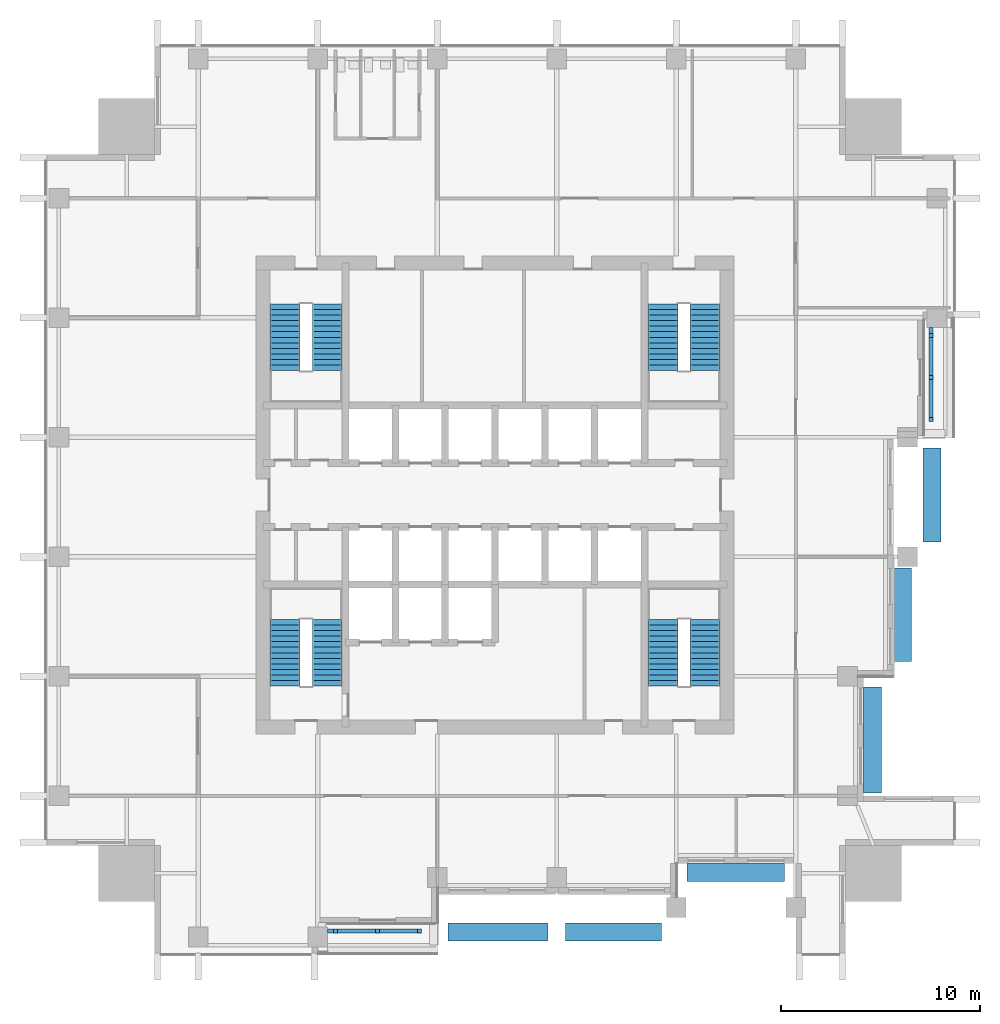
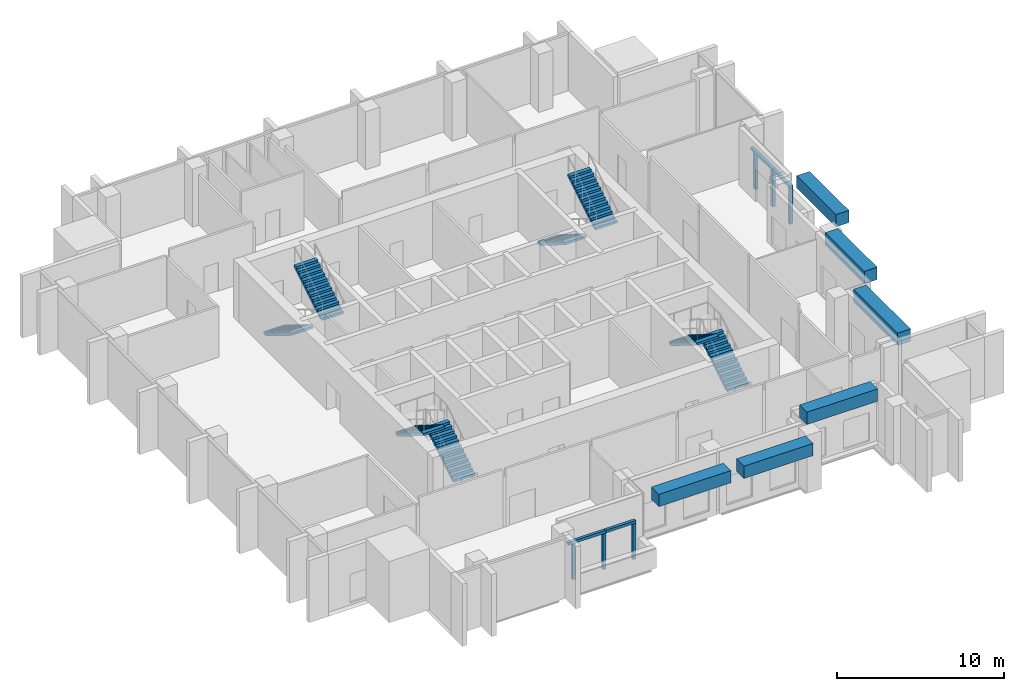
# One storey, part 8 of 11: 16 discrete accessories, 8 stair flights, 4 elements without a shape of their own.
"""IFC4 building model written with IfcOpenShell, lengths in metres."""

from ifc_helpers import new_model, si_unit, direction, frame, origin, origin_2d, place, context, subcontext, project, spatial, polyline, rectangle, outline, extrude, material, type_object, element, aggregate, save


model = new_model("IFC4")

# Units and contexts
model_context = context("Model", 3, precision=1e-05, world=origin(), true_north=direction((0.0, 1.0)))
body_context = subcontext(model_context, "Body", "Model", "MODEL_VIEW")
ifc_project = project(units=[si_unit("LENGTHUNIT", "METRE"), si_unit("AREAUNIT", "SQUARE_METRE"), si_unit("VOLUMEUNIT", "CUBIC_METRE"), si_unit("PLANEANGLEUNIT", "RADIAN"), si_unit("MASSUNIT", "GRAM", prefix="KILO")], contexts=[model_context])

# Site, building, storey
site_placement = place(None, origin())
site = spatial("IfcSite", under=ifc_project, at=site_placement, CompositionType="ELEMENT")
building_placement = place(site_placement, origin())
building = spatial("IfcBuilding", under=site, at=building_placement, Name="Amberfall Residences", CompositionType="ELEMENT")
storey_placement = place(building_placement, frame((0.0, 0.0, 150.39990234375)))
storey = spatial("IfcBuildingStorey", under=building, at=storey_placement, Name="L40", CompositionType="ELEMENT", Elevation=150.39990234375)

# Stair, stair flights
ifc_material = material(Name="Concrete C40", Category="concrete")
stair_type = type_object("IfcStairType", Name="Exit stair 26 risers 173.1 mm", PredefinedType="HALF_TURN_STAIR", material=ifc_material)
stair_1_placement = place(storey_placement, origin())
stair_1 = element("IfcStair", 1, at=stair_1_placement, inside=storey, type_object=stair_type, Name="L40 Exit stair 1", PredefinedType="HALF_TURN_STAIR")
stair_flight_type = type_object("IfcStairFlightType", Name="Stair flight 13 risers 173.1 mm", PredefinedType="STRAIGHT", material=ifc_material)
stair_flight_1_placement = place(storey_placement, frame((66.074951171875, 35.89990234375, 0.0), z_axis=(0.0, 0.0, 1.0), x_axis=(0.0, 1.0, 0.0)))
stair_flight_1 = element("IfcStairFlight", 2, at=stair_flight_1_placement, type_object=stair_flight_type, Name="ST2 flight 1", NumberOfRisers=13, NumberOfTreads=12, PredefinedType="STRAIGHT", RiserHeight=0.173076923, TreadLength=0.28, context=body_context, shape_type="SweptSolid", body=[
    extrude(outline(polyline([(0.0, 0.0), (0.0, 0.173095703125), (0.280029296875, 0.173095703125), (0.280029296875, 0.34619140625), (0.56005859375, 0.34619140625), (0.56005859375, 0.519287109375), (0.840087890625, 0.519287109375), (0.840087890625, 0.6923828125), (1.1201171875, 0.6923828125), (1.1201171875, 0.865478515625), (1.39990234375, 0.865478515625), (1.39990234375, 1.03857421875), (1.679931640625, 1.03857421875), (1.679931640625, 1.21142578125), (1.9599609375, 1.21142578125), (1.9599609375, 1.384521484375), (2.239990234375, 1.384521484375), (2.239990234375, 1.5576171875), (2.52001953125, 1.5576171875), (2.52001953125, 1.730712890625), (2.800048828125, 1.730712890625), (2.800048828125, 1.90380859375), (3.080078125, 1.90380859375), (3.080078125, 2.076904296875), (3.360107421875, 2.076904296875), (3.360107421875, 2.25), (3.360107421875, 1.900634765625), (0.28515625, 0.0), (0.0, 0.0)])), frame((0.0, 0.75, 0.0), z_axis=(0.0, -1.0, 0.0), x_axis=(1.0, 0.0, 0.0)), (0.0, 0.0, 1.0), 1.5),
])
stair_flight_2_placement = place(storey_placement, frame((63.949951171875, 39.260009765625, 2.25), z_axis=(0.0, 0.0, 1.0), x_axis=(0.0, -1.0, 0.0)))
stair_flight_2 = element("IfcStairFlight", 3, at=stair_flight_2_placement, type_object=stair_flight_type, Name="ST2 flight 2", NumberOfRisers=13, NumberOfTreads=12, PredefinedType="STRAIGHT", RiserHeight=0.173076923, TreadLength=0.28, context=body_context, shape_type="SweptSolid", body=[
    extrude(outline(polyline([(0.0, 0.0), (0.0, 0.173095703125), (0.280029296875, 0.173095703125), (0.280029296875, 0.34619140625), (0.56005859375, 0.34619140625), (0.56005859375, 0.519287109375), (0.840087890625, 0.519287109375), (0.840087890625, 0.6923828125), (1.1201171875, 0.6923828125), (1.1201171875, 0.865478515625), (1.39990234375, 0.865478515625), (1.39990234375, 1.03857421875), (1.679931640625, 1.03857421875), (1.679931640625, 1.21142578125), (1.9599609375, 1.21142578125), (1.9599609375, 1.384521484375), (2.239990234375, 1.384521484375), (2.239990234375, 1.5576171875), (2.52001953125, 1.5576171875), (2.52001953125, 1.730712890625), (2.800048828125, 1.730712890625), (2.800048828125, 1.90380859375), (3.080078125, 1.90380859375), (3.080078125, 2.076904296875), (3.360107421875, 2.076904296875), (3.360107421875, 2.25), (3.360107421875, 1.900634765625), (0.28515625, 0.0), (0.0, 0.0)])), frame((0.0, 0.75, 0.0), z_axis=(0.0, -1.0, 0.0), x_axis=(1.0, 0.0, 0.0)), (0.0, 0.0, 1.0), 1.5),
])
aggregate(stair_1, [stair_flight_1, stair_flight_2])

stair_2_placement = place(storey_placement, origin())
stair_2 = element("IfcStair", 4, at=stair_2_placement, inside=storey, type_object=stair_type, Name="L40 Exit stair 2", PredefinedType="HALF_TURN_STAIR")
stair_flight_3_placement = place(storey_placement, frame((85.050048828125, 35.89990234375, 0.0), z_axis=(0.0, 0.0, 1.0), x_axis=(0.0, 1.0, 0.0)))
stair_flight_3 = element("IfcStairFlight", 5, at=stair_flight_3_placement, type_object=stair_flight_type, Name="ST2 flight 1", NumberOfRisers=13, NumberOfTreads=12, PredefinedType="STRAIGHT", RiserHeight=0.173076923, TreadLength=0.28, context=body_context, shape_type="SweptSolid", body=[
    extrude(outline(polyline([(0.0, 0.0), (0.0, 0.173095703125), (0.280029296875, 0.173095703125), (0.280029296875, 0.34619140625), (0.56005859375, 0.34619140625), (0.56005859375, 0.519287109375), (0.840087890625, 0.519287109375), (0.840087890625, 0.6923828125), (1.1201171875, 0.6923828125), (1.1201171875, 0.865478515625), (1.39990234375, 0.865478515625), (1.39990234375, 1.03857421875), (1.679931640625, 1.03857421875), (1.679931640625, 1.21142578125), (1.9599609375, 1.21142578125), (1.9599609375, 1.384521484375), (2.239990234375, 1.384521484375), (2.239990234375, 1.5576171875), (2.52001953125, 1.5576171875), (2.52001953125, 1.730712890625), (2.800048828125, 1.730712890625), (2.800048828125, 1.90380859375), (3.080078125, 1.90380859375), (3.080078125, 2.076904296875), (3.360107421875, 2.076904296875), (3.360107421875, 2.25), (3.360107421875, 1.900634765625), (0.28515625, 0.0), (0.0, 0.0)])), frame((0.0, 0.75, 0.0), z_axis=(0.0, -1.0, 0.0), x_axis=(1.0, 0.0, 0.0)), (0.0, 0.0, 1.0), 1.5),
])
stair_flight_4_placement = place(storey_placement, frame((82.925048828125, 39.260009765625, 2.25), z_axis=(0.0, 0.0, 1.0), x_axis=(0.0, -1.0, 0.0)))
stair_flight_4 = element("IfcStairFlight", 6, at=stair_flight_4_placement, type_object=stair_flight_type, Name="ST2 flight 2", NumberOfRisers=13, NumberOfTreads=12, PredefinedType="STRAIGHT", RiserHeight=0.173076923, TreadLength=0.28, context=body_context, shape_type="SweptSolid", body=[
    extrude(outline(polyline([(0.0, 0.0), (0.0, 0.173095703125), (0.280029296875, 0.173095703125), (0.280029296875, 0.34619140625), (0.56005859375, 0.34619140625), (0.56005859375, 0.519287109375), (0.840087890625, 0.519287109375), (0.840087890625, 0.6923828125), (1.1201171875, 0.6923828125), (1.1201171875, 0.865478515625), (1.39990234375, 0.865478515625), (1.39990234375, 1.03857421875), (1.679931640625, 1.03857421875), (1.679931640625, 1.21142578125), (1.9599609375, 1.21142578125), (1.9599609375, 1.384521484375), (2.239990234375, 1.384521484375), (2.239990234375, 1.5576171875), (2.52001953125, 1.5576171875), (2.52001953125, 1.730712890625), (2.800048828125, 1.730712890625), (2.800048828125, 1.90380859375), (3.080078125, 1.90380859375), (3.080078125, 2.076904296875), (3.360107421875, 2.076904296875), (3.360107421875, 2.25), (3.360107421875, 1.900634765625), (0.28515625, 0.0), (0.0, 0.0)])), frame((0.0, 0.75, 0.0), z_axis=(0.0, -1.0, 0.0), x_axis=(1.0, 0.0, 0.0)), (0.0, 0.0, 1.0), 1.5),
])
aggregate(stair_2, [stair_flight_3, stair_flight_4])

stair_3_placement = place(storey_placement, origin())
stair_3 = element("IfcStair", 7, at=stair_3_placement, inside=storey, type_object=stair_type, Name="L40 Exit stair 3", PredefinedType="HALF_TURN_STAIR")
stair_flight_5_placement = place(storey_placement, frame((82.925048828125, 55.10009765625, 0.0), z_axis=(0.0, 0.0, 1.0), x_axis=(0.0, -1.0, 0.0)))
stair_flight_5 = element("IfcStairFlight", 8, at=stair_flight_5_placement, type_object=stair_flight_type, Name="ST2 flight 1", NumberOfRisers=13, NumberOfTreads=12, PredefinedType="STRAIGHT", RiserHeight=0.173076923, TreadLength=0.28, context=body_context, shape_type="SweptSolid", body=[
    extrude(outline(polyline([(0.0, 0.0), (0.0, 0.173095703125), (0.280029296875, 0.173095703125), (0.280029296875, 0.34619140625), (0.56005859375, 0.34619140625), (0.56005859375, 0.519287109375), (0.840087890625, 0.519287109375), (0.840087890625, 0.6923828125), (1.1201171875, 0.6923828125), (1.1201171875, 0.865478515625), (1.39990234375, 0.865478515625), (1.39990234375, 1.03857421875), (1.679931640625, 1.03857421875), (1.679931640625, 1.21142578125), (1.9599609375, 1.21142578125), (1.9599609375, 1.384521484375), (2.239990234375, 1.384521484375), (2.239990234375, 1.5576171875), (2.52001953125, 1.5576171875), (2.52001953125, 1.730712890625), (2.800048828125, 1.730712890625), (2.800048828125, 1.90380859375), (3.080078125, 1.90380859375), (3.080078125, 2.076904296875), (3.360107421875, 2.076904296875), (3.360107421875, 2.25), (3.360107421875, 1.900634765625), (0.28515625, 0.0), (0.0, 0.0)])), frame((0.0, 0.75, 0.0), z_axis=(0.0, -1.0, 0.0), x_axis=(1.0, 0.0, 0.0)), (0.0, 0.0, 1.0), 1.5),
])
stair_flight_6_placement = place(storey_placement, frame((85.050048828125, 51.739990234375, 2.25), z_axis=(0.0, 0.0, 1.0), x_axis=(0.0, 1.0, 0.0)))
stair_flight_6 = element("IfcStairFlight", 9, at=stair_flight_6_placement, type_object=stair_flight_type, Name="ST2 flight 2", NumberOfRisers=13, NumberOfTreads=12, PredefinedType="STRAIGHT", RiserHeight=0.173076923, TreadLength=0.28, context=body_context, shape_type="SweptSolid", body=[
    extrude(outline(polyline([(0.0, 0.0), (0.0, 0.173095703125), (0.280029296875, 0.173095703125), (0.280029296875, 0.34619140625), (0.56005859375, 0.34619140625), (0.56005859375, 0.519287109375), (0.840087890625, 0.519287109375), (0.840087890625, 0.6923828125), (1.1201171875, 0.6923828125), (1.1201171875, 0.865478515625), (1.39990234375, 0.865478515625), (1.39990234375, 1.03857421875), (1.679931640625, 1.03857421875), (1.679931640625, 1.21142578125), (1.9599609375, 1.21142578125), (1.9599609375, 1.384521484375), (2.239990234375, 1.384521484375), (2.239990234375, 1.5576171875), (2.52001953125, 1.5576171875), (2.52001953125, 1.730712890625), (2.800048828125, 1.730712890625), (2.800048828125, 1.90380859375), (3.080078125, 1.90380859375), (3.080078125, 2.076904296875), (3.360107421875, 2.076904296875), (3.360107421875, 2.25), (3.360107421875, 1.900634765625), (0.28515625, 0.0), (0.0, 0.0)])), frame((0.0, 0.75, 0.0), z_axis=(0.0, -1.0, 0.0), x_axis=(1.0, 0.0, 0.0)), (0.0, 0.0, 1.0), 1.5),
])
aggregate(stair_3, [stair_flight_5, stair_flight_6])

stair_4_placement = place(storey_placement, origin())
stair_4 = element("IfcStair", 10, at=stair_4_placement, inside=storey, type_object=stair_type, Name="L40 Exit stair 4", PredefinedType="HALF_TURN_STAIR")
stair_flight_7_placement = place(storey_placement, frame((63.949951171875, 55.10009765625, 0.0), z_axis=(0.0, 0.0, 1.0), x_axis=(0.0, -1.0, 0.0)))
stair_flight_7 = element("IfcStairFlight", 11, at=stair_flight_7_placement, type_object=stair_flight_type, Name="ST2 flight 1", NumberOfRisers=13, NumberOfTreads=12, PredefinedType="STRAIGHT", RiserHeight=0.173076923, TreadLength=0.28, context=body_context, shape_type="SweptSolid", body=[
    extrude(outline(polyline([(0.0, 0.0), (0.0, 0.173095703125), (0.280029296875, 0.173095703125), (0.280029296875, 0.34619140625), (0.56005859375, 0.34619140625), (0.56005859375, 0.519287109375), (0.840087890625, 0.519287109375), (0.840087890625, 0.6923828125), (1.1201171875, 0.6923828125), (1.1201171875, 0.865478515625), (1.39990234375, 0.865478515625), (1.39990234375, 1.03857421875), (1.679931640625, 1.03857421875), (1.679931640625, 1.21142578125), (1.9599609375, 1.21142578125), (1.9599609375, 1.384521484375), (2.239990234375, 1.384521484375), (2.239990234375, 1.5576171875), (2.52001953125, 1.5576171875), (2.52001953125, 1.730712890625), (2.800048828125, 1.730712890625), (2.800048828125, 1.90380859375), (3.080078125, 1.90380859375), (3.080078125, 2.076904296875), (3.360107421875, 2.076904296875), (3.360107421875, 2.25), (3.360107421875, 1.900634765625), (0.28515625, 0.0), (0.0, 0.0)])), frame((0.0, 0.75, 0.0), z_axis=(0.0, -1.0, 0.0), x_axis=(1.0, 0.0, 0.0)), (0.0, 0.0, 1.0), 1.5),
])
stair_flight_8_placement = place(storey_placement, frame((66.074951171875, 51.739990234375, 2.25), z_axis=(0.0, 0.0, 1.0), x_axis=(0.0, 1.0, 0.0)))
stair_flight_8 = element("IfcStairFlight", 12, at=stair_flight_8_placement, type_object=stair_flight_type, Name="ST2 flight 2", NumberOfRisers=13, NumberOfTreads=12, PredefinedType="STRAIGHT", RiserHeight=0.173076923, TreadLength=0.28, context=body_context, shape_type="SweptSolid", body=[
    extrude(outline(polyline([(0.0, 0.0), (0.0, 0.173095703125), (0.280029296875, 0.173095703125), (0.280029296875, 0.34619140625), (0.56005859375, 0.34619140625), (0.56005859375, 0.519287109375), (0.840087890625, 0.519287109375), (0.840087890625, 0.6923828125), (1.1201171875, 0.6923828125), (1.1201171875, 0.865478515625), (1.39990234375, 0.865478515625), (1.39990234375, 1.03857421875), (1.679931640625, 1.03857421875), (1.679931640625, 1.21142578125), (1.9599609375, 1.21142578125), (1.9599609375, 1.384521484375), (2.239990234375, 1.384521484375), (2.239990234375, 1.5576171875), (2.52001953125, 1.5576171875), (2.52001953125, 1.730712890625), (2.800048828125, 1.730712890625), (2.800048828125, 1.90380859375), (3.080078125, 1.90380859375), (3.080078125, 2.076904296875), (3.360107421875, 2.076904296875), (3.360107421875, 2.25), (3.360107421875, 1.900634765625), (0.28515625, 0.0), (0.0, 0.0)])), frame((0.0, 0.75, 0.0), z_axis=(0.0, -1.0, 0.0), x_axis=(1.0, 0.0, 0.0)), (0.0, 0.0, 1.0), 1.5),
])
aggregate(stair_4, [stair_flight_7, stair_flight_8])

# Discrete accessories
for number, where, z_axis, x_axis, name in (
    (13, (66.5, 23.60009765625, 0.000244140625), (0.0, 0.0, 1.0), (1.0, 0.0, 0.0), "Trellis post L40 S2.1"),
    (14, (68.60009765625, 23.60009765625, 0.000244140625), (0.0, 0.0, 1.0), (1.0, 0.0, 0.0), "Trellis post L40 S2.2"),
    (15, (70.699951171875, 23.60009765625, 0.000244140625), (0.0, 0.0, 1.0), (1.0, 0.0, 0.0), "Trellis post L40 S2.3"),
):
    element("IfcDiscreteAccessory", number, at=place(storey_placement, frame(where, z_axis=z_axis, x_axis=x_axis)), inside=storey, Name=name, ObjectType="TRELLIS POST", PredefinedType="USERDEFINED", context=body_context, shape_type="SweptSolid", body=[
        extrude(rectangle(XDim=0.199951171875, YDim=0.199951171875, at=origin_2d()), origin(), (0.0, 0.0, 1.0), 2.6298828125),
    ])
discrete_accessory_1_placement = place(storey_placement, frame((67.39990234375, 23.60009765625, 2.6298828125), z_axis=(0.0, 0.0, 1.0), x_axis=(1.0, 0.0, 0.0)))
element("IfcDiscreteAccessory", 16, at=discrete_accessory_1_placement, inside=storey, Name="Trellis beam L40 S2.e1", ObjectType="TRELLIS BEAM", PredefinedType="USERDEFINED", context=body_context, shape_type="SweptSolid", body=[
    extrude(rectangle(XDim=2.60009765625, YDim=0.199951171875, at=origin_2d()), origin(), (0.0, 0.0, 1.0), 0.199951171875),
])
discrete_accessory_2_placement = place(storey_placement, frame((69.75, 23.60009765625, 2.6298828125), z_axis=(0.0, 0.0, 1.0), x_axis=(1.0, 0.0, 0.0)))
element("IfcDiscreteAccessory", 17, at=discrete_accessory_2_placement, inside=storey, Name="Trellis beam L40 S2.e1.2", ObjectType="TRELLIS BEAM", PredefinedType="USERDEFINED", context=body_context, shape_type="SweptSolid", body=[
    extrude(rectangle(XDim=2.10009765625, YDim=0.199951171875, at=origin_2d()), origin(), (0.0, 0.0, 1.0), 0.199951171875),
])
for number, where, z_axis, x_axis, name in (
    (18, (96.39990234375, 49.300048828125, 0.000244140625), (0.0, 0.0, 1.0), (1.0, 0.0, 0.0), "Trellis post L40 E4.1"),
    (19, (96.39990234375, 51.39990234375, 0.000244140625), (0.0, 0.0, 1.0), (1.0, 0.0, 0.0), "Trellis post L40 E4.2"),
    (20, (96.39990234375, 53.5, 0.000244140625), (0.0, 0.0, 1.0), (1.0, 0.0, 0.0), "Trellis post L40 E4.3"),
):
    element("IfcDiscreteAccessory", number, at=place(storey_placement, frame(where, z_axis=z_axis, x_axis=x_axis)), inside=storey, Name=name, ObjectType="TRELLIS POST", PredefinedType="USERDEFINED", context=body_context, shape_type="SweptSolid", body=[
        extrude(rectangle(XDim=0.199951171875, YDim=0.199951171875, at=origin_2d()), origin(), (0.0, 0.0, 1.0), 2.6298828125),
    ])
discrete_accessory_3_placement = place(storey_placement, frame((96.39990234375, 52.60009765625, 2.6298828125), z_axis=(0.0, 0.0, 1.0), x_axis=(0.0, 1.0, 0.0)))
element("IfcDiscreteAccessory", 21, at=discrete_accessory_3_placement, inside=storey, Name="Trellis beam L40 E4.e1", ObjectType="TRELLIS BEAM", PredefinedType="USERDEFINED", context=body_context, shape_type="SweptSolid", body=[
    extrude(rectangle(XDim=2.60009765625, YDim=0.199951171875, at=origin_2d()), origin(), (0.0, 0.0, 1.0), 0.199951171875),
])
discrete_accessory_4_placement = place(storey_placement, frame((96.39990234375, 50.25, 2.6298828125), z_axis=(0.0, 0.0, 1.0), x_axis=(0.0, 1.0, 0.0)))
element("IfcDiscreteAccessory", 22, at=discrete_accessory_4_placement, inside=storey, Name="Trellis beam L40 E4.e1.2", ObjectType="TRELLIS BEAM", PredefinedType="USERDEFINED", context=body_context, shape_type="SweptSolid", body=[
    extrude(rectangle(XDim=2.10009765625, YDim=0.199951171875, at=origin_2d()), origin(), (0.0, 0.0, 1.0), 0.199951171875),
])
discrete_accessory_5_placement = place(storey_placement, frame((93.449951171875, 33.205078125, 3.60009765625), z_axis=(0.0, 0.0, 1.0), x_axis=(0.0, 1.0, 0.0)))
element("IfcDiscreteAccessory", 23, at=discrete_accessory_5_placement, inside=storey, Name="Planter box L41 E3", ObjectType="PLANTER BOX", PredefinedType="USERDEFINED", context=body_context, shape_type="SweptSolid", body=[
    extrude(rectangle(XDim=5.31005859375, YDim=0.89990234375, at=origin_2d()), origin(), (0.0, 0.0, 1.0), 0.89990234375),
])
discrete_accessory_6_placement = place(storey_placement, frame((74.64501953125, 23.550048828125, 3.60009765625), z_axis=(0.0, 0.0, 1.0), x_axis=(1.0, 0.0, 0.0)))
element("IfcDiscreteAccessory", 24, at=discrete_accessory_6_placement, inside=storey, Name="Planter box L41 S3", ObjectType="PLANTER BOX", PredefinedType="USERDEFINED", context=body_context, shape_type="SweptSolid", body=[
    extrude(rectangle(XDim=5.010009765625, YDim=0.89990234375, at=origin_2d()), origin(), (0.0, 0.0, 1.0), 0.89990234375),
])
discrete_accessory_7_placement = place(storey_placement, frame((80.449951171875, 23.550048828125, 3.60009765625), z_axis=(0.0, 0.0, 1.0), x_axis=(1.0, 0.0, 0.0)))
element("IfcDiscreteAccessory", 25, at=discrete_accessory_7_placement, inside=storey, Name="Planter box L41 S4", ObjectType="PLANTER BOX", PredefinedType="USERDEFINED", context=body_context, shape_type="SweptSolid", body=[
    extrude(rectangle(XDim=4.800048828125, YDim=0.89990234375, at=origin_2d()), origin(), (0.0, 0.0, 1.0), 0.89990234375),
])
discrete_accessory_8_placement = place(storey_placement, frame((86.594970703125, 26.550048828125, 3.60009765625), z_axis=(0.0, 0.0, 1.0), x_axis=(1.0, 0.0, 0.0)))
element("IfcDiscreteAccessory", 26, at=discrete_accessory_8_placement, inside=storey, Name="Planter box L41 S6", ObjectType="PLANTER BOX", PredefinedType="USERDEFINED", context=body_context, shape_type="SweptSolid", body=[
    extrude(rectangle(XDim=4.889892578125, YDim=0.89990234375, at=origin_2d()), origin(), (0.0, 0.0, 1.0), 0.89990234375),
])
discrete_accessory_9_placement = place(storey_placement, frame((94.949951171875, 39.4951171875, 3.60009765625), z_axis=(0.0, 0.0, 1.0), x_axis=(0.0, 1.0, 0.0)))
element("IfcDiscreteAccessory", 27, at=discrete_accessory_9_placement, inside=storey, Name="Planter box L41 E5", ObjectType="PLANTER BOX", PredefinedType="USERDEFINED", context=body_context, shape_type="SweptSolid", body=[
    extrude(rectangle(XDim=4.68994140625, YDim=0.89990234375, at=origin_2d()), origin(), (0.0, 0.0, 1.0), 0.89990234375),
])
discrete_accessory_10_placement = place(storey_placement, frame((96.449951171875, 45.5048828125, 3.60009765625), z_axis=(0.0, 0.0, 1.0), x_axis=(0.0, 1.0, 0.0)))
element("IfcDiscreteAccessory", 28, at=discrete_accessory_10_placement, inside=storey, Name="Planter box L41 E7", ObjectType="PLANTER BOX", PredefinedType="USERDEFINED", context=body_context, shape_type="SweptSolid", body=[
    extrude(rectangle(XDim=4.7099609375, YDim=0.89990234375, at=origin_2d()), origin(), (0.0, 0.0, 1.0), 0.89990234375),
])

save(model, "model.ifc")
